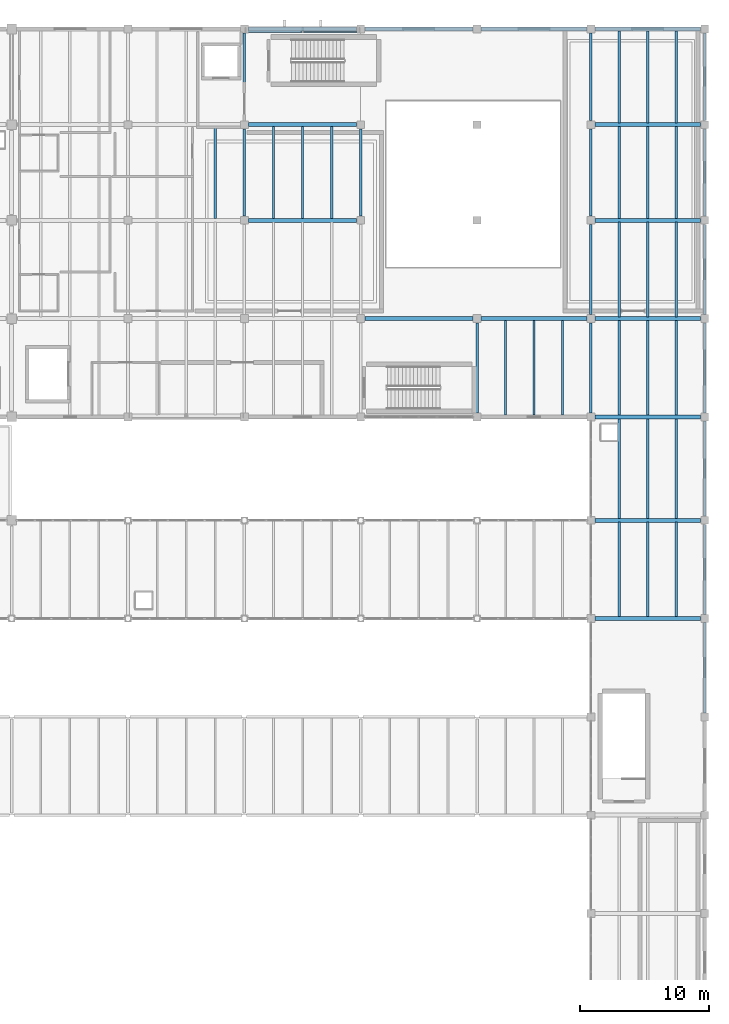
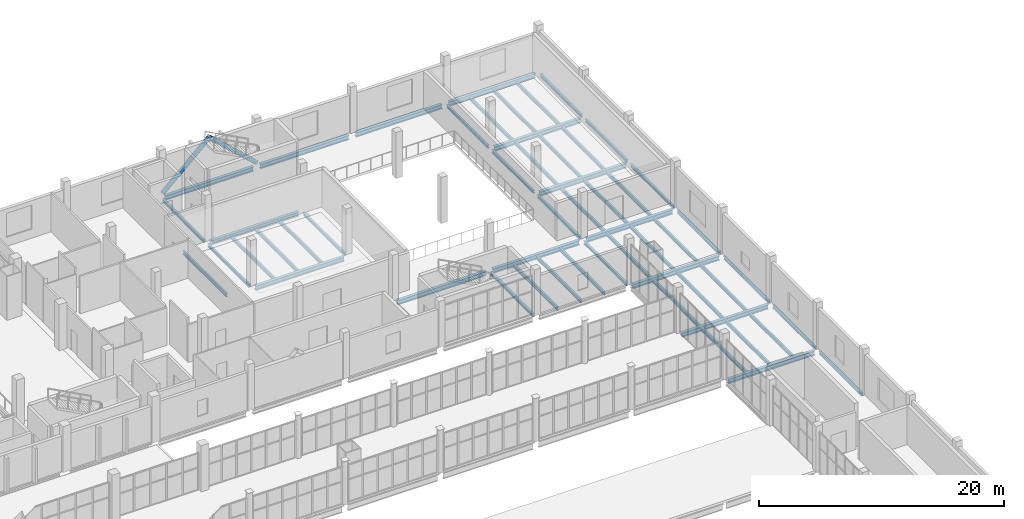
# One storey, part 93 of 136: 54 beams, 2 members.
"""IFC4 building model written with IfcOpenShell, lengths in metres."""

from ifc_helpers import new_model, si_unit, direction, frame, origin, origin_2d, place, context, subcontext, project, spatial, hollow_circle, i_section, extrude, material, material_profile, profile_set, type_object, element, save


model = new_model("IFC4")

# Units and contexts
model_context = context("Model", 3, precision=1e-05, world=origin(), true_north=direction((0.0, 1.0)))
body_context = subcontext(model_context, "Body", "Model", "MODEL_VIEW")
ifc_project = project(units=[si_unit("LENGTHUNIT", "METRE"), si_unit("AREAUNIT", "SQUARE_METRE"), si_unit("VOLUMEUNIT", "CUBIC_METRE"), si_unit("PLANEANGLEUNIT", "RADIAN"), si_unit("MASSUNIT", "GRAM", prefix="KILO")], contexts=[model_context])

# Site, building, storey
site_placement = place(None, origin())
site = spatial("IfcSite", under=ifc_project, at=site_placement, CompositionType="ELEMENT")
building_placement = place(site_placement, origin())
building = spatial("IfcBuilding", under=site, at=building_placement, Name="Shengluoqiao Park Theatre", CompositionType="ELEMENT")
storey_placement = place(building_placement, frame((0.0, 0.0, 10.0)))
storey = spatial("IfcBuildingStorey", under=building, at=storey_placement, Name="L02", CompositionType="ELEMENT", Elevation=10.0)

# Beams
ifc_material_1 = material(Name="Steel Q355", Category="steel")
ifc_material_profile_1 = material_profile(ifc_material_1, i_section(OverallWidth=0.199951171875, OverallDepth=0.2939453125, WebThickness=0.008056640625, FlangeThickness=0.011962890625, FilletRadius=0.01611328125, at=origin_2d()), Name="HM 294x200x8x12")
ifc_profile_set_1 = profile_set([ifc_material_profile_1], Name="Steel Q355")
beam_type_1 = type_object("IfcBeamType", Name="STR-BM-G-HM294", PredefinedType="BEAM", material=ifc_profile_set_1)
for number, where, z_axis, x_axis, name in (
    (1, (130.39990234375, 99.51904296875, -0.386962890625), (0.0, 1.0, 0.0), (-1.0, 0.0, 0.0), "L02 Transverse Girder 01074"),
    (2, (130.39990234375, 106.9189453125, -0.386962890625), (0.0, 1.0, 0.0), (-1.0, 0.0, 0.0), "L02 Transverse Girder 01075"),
    (3, (139.39990234375, 99.51904296875, -0.386962890625), (0.0, 1.0, 0.0), (-1.0, 0.0, 0.0), "L02 Transverse Girder 01078"),
):
    element("IfcBeam", number, at=place(storey_placement, frame(where, z_axis=z_axis, x_axis=x_axis)), inside=storey, type_object=beam_type_1, Name=name, PredefinedType="BEAM", context=body_context, shape_type="SweptSolid", body=[
        extrude(i_section(OverallWidth=0.199951171875, OverallDepth=0.2939453125, WebThickness=0.008056640625, FlangeThickness=0.011962890625, FilletRadius=0.01611328125, at=origin_2d()), origin(), (0.0, 0.0, 1.0), 6.761962890625),
    ])
for number, where, z_axis, x_axis, name in (
    (4, (148.39990234375, 84.319091796875, -0.386962890625), (0.0, 1.0, 0.0), (-1.0, 0.0, 0.0), "L02 Transverse Girder 01121"),
    (5, (157.199951171875, 84.319091796875, -0.386962890625), (0.0, 1.0, 0.0), (-1.0, 0.0, 0.0), "L02 Transverse Girder 01122"),
):
    element("IfcBeam", number, at=place(storey_placement, frame(where, z_axis=z_axis, x_axis=x_axis)), inside=storey, type_object=beam_type_1, Name=name, PredefinedType="BEAM", context=body_context, shape_type="SweptSolid", body=[
        extrude(i_section(OverallWidth=0.199951171875, OverallDepth=0.2939453125, WebThickness=0.008056640625, FlangeThickness=0.011962890625, FilletRadius=0.01611328125, at=origin_2d()), origin(), (0.0, 0.0, 1.0), 6.9619140625),
    ])
beam_1_placement = place(storey_placement, frame((157.199951171875, 91.9189453125, -0.386962890625), z_axis=(0.0, 1.0, 0.0), x_axis=(-1.0, 0.0, 0.0)))
element("IfcBeam", 6, at=beam_1_placement, inside=storey, type_object=beam_type_1, Name="L02 Transverse Girder 01123", PredefinedType="BEAM", context=body_context, shape_type="SweptSolid", body=[
    extrude(i_section(OverallWidth=0.199951171875, OverallDepth=0.2939453125, WebThickness=0.008056640625, FlangeThickness=0.011962890625, FilletRadius=0.01611328125, at=origin_2d()), origin(), (0.0, 0.0, 1.0), 6.962158203125),
])
for number, where, z_axis, x_axis, name in (
    (7, (157.199951171875, 99.51904296875, -0.386962890625), (0.0, 1.0, 0.0), (-1.0, 0.0, 0.0), "L02 Transverse Girder 01124"),
    (8, (157.199951171875, 106.9189453125, -0.386962890625), (0.0, 1.0, 0.0), (-1.0, 0.0, 0.0), "L02 Transverse Girder 01125"),
):
    element("IfcBeam", number, at=place(storey_placement, frame(where, z_axis=z_axis, x_axis=x_axis)), inside=storey, type_object=beam_type_1, Name=name, PredefinedType="BEAM", context=body_context, shape_type="SweptSolid", body=[
        extrude(i_section(OverallWidth=0.199951171875, OverallDepth=0.2939453125, WebThickness=0.008056640625, FlangeThickness=0.011962890625, FilletRadius=0.01611328125, at=origin_2d()), origin(), (0.0, 0.0, 1.0), 6.761962890625),
    ])
beam_2_placement = place(storey_placement, frame((166.0, 84.319091796875, -0.386962890625), z_axis=(0.0, 1.0, 0.0), x_axis=(-1.0, 0.0, 0.0)))
element("IfcBeam", 9, at=beam_2_placement, inside=storey, type_object=beam_type_1, Name="L02 Transverse Girder 01126", PredefinedType="BEAM", context=body_context, shape_type="SweptSolid", body=[
    extrude(i_section(OverallWidth=0.199951171875, OverallDepth=0.2939453125, WebThickness=0.008056640625, FlangeThickness=0.011962890625, FilletRadius=0.01611328125, at=origin_2d()), origin(), (0.0, 0.0, 1.0), 6.9619140625),
])
beam_3_placement = place(storey_placement, frame((166.0, 91.9189453125, -0.386962890625), z_axis=(0.0, 1.0, 0.0), x_axis=(-1.0, 0.0, 0.0)))
element("IfcBeam", 10, at=beam_3_placement, inside=storey, type_object=beam_type_1, Name="L02 Transverse Girder 01127", PredefinedType="BEAM", context=body_context, shape_type="SweptSolid", body=[
    extrude(i_section(OverallWidth=0.199951171875, OverallDepth=0.2939453125, WebThickness=0.008056640625, FlangeThickness=0.011962890625, FilletRadius=0.01611328125, at=origin_2d()), origin(), (0.0, 0.0, 1.0), 6.962158203125),
])
for number, where, z_axis, x_axis, name in (
    (11, (166.0, 99.51904296875, -0.386962890625), (0.0, 1.0, 0.0), (-1.0, 0.0, 0.0), "L02 Transverse Girder 01128"),
    (12, (166.0, 106.9189453125, -0.386962890625), (0.0, 1.0, 0.0), (-1.0, 0.0, 0.0), "L02 Transverse Girder 01129"),
):
    element("IfcBeam", number, at=place(storey_placement, frame(where, z_axis=z_axis, x_axis=x_axis)), inside=storey, type_object=beam_type_1, Name=name, PredefinedType="BEAM", context=body_context, shape_type="SweptSolid", body=[
        extrude(i_section(OverallWidth=0.199951171875, OverallDepth=0.2939453125, WebThickness=0.008056640625, FlangeThickness=0.011962890625, FilletRadius=0.01611328125, at=origin_2d()), origin(), (0.0, 0.0, 1.0), 6.761962890625),
    ])
beam_4_placement = place(storey_placement, frame((166.0, 61.118896484375, -0.386962890625), z_axis=(0.0, 1.0, 0.0), x_axis=(-1.0, 0.0, 0.0)))
element("IfcBeam", 13, at=beam_4_placement, inside=storey, type_object=beam_type_1, Name="L02 Transverse Girder 01164", PredefinedType="BEAM", context=body_context, shape_type="SweptSolid", body=[
    extrude(i_section(OverallWidth=0.199951171875, OverallDepth=0.2939453125, WebThickness=0.008056640625, FlangeThickness=0.011962890625, FilletRadius=0.01611328125, at=origin_2d()), origin(), (0.0, 0.0, 1.0), 6.962158203125),
])
beam_5_placement = place(storey_placement, frame((166.0, 68.718994140625, -0.386962890625), z_axis=(0.0, 1.0, 0.0), x_axis=(-1.0, 0.0, 0.0)))
element("IfcBeam", 14, at=beam_5_placement, inside=storey, type_object=beam_type_1, Name="L02 Transverse Girder 01165", PredefinedType="BEAM", context=body_context, shape_type="SweptSolid", body=[
    extrude(i_section(OverallWidth=0.199951171875, OverallDepth=0.2939453125, WebThickness=0.008056640625, FlangeThickness=0.011962890625, FilletRadius=0.01611328125, at=origin_2d()), origin(), (0.0, 0.0, 1.0), 6.9619140625),
])
beam_6_placement = place(storey_placement, frame((166.0, 76.319091796875, -0.386962890625), z_axis=(0.0, 1.0, 0.0), x_axis=(-1.0, 0.0, 0.0)))
element("IfcBeam", 15, at=beam_6_placement, inside=storey, type_object=beam_type_1, Name="L02 Transverse Girder 01166", PredefinedType="BEAM", context=body_context, shape_type="SweptSolid", body=[
    extrude(i_section(OverallWidth=0.199951171875, OverallDepth=0.2939453125, WebThickness=0.008056640625, FlangeThickness=0.011962890625, FilletRadius=0.01611328125, at=origin_2d()), origin(), (0.0, 0.0, 1.0), 7.36181640625),
])
ifc_material_profile_2 = material_profile(ifc_material_1, i_section(OverallWidth=0.300048828125, OverallDepth=0.43994140625, WebThickness=0.010986328125, FlangeThickness=0.01806640625, FilletRadius=0.02001953125, at=origin_2d()), Name="HM 440x300x11x18")
ifc_profile_set_2 = profile_set([ifc_material_profile_2], Name="Steel Q355")
beam_type_2 = type_object("IfcBeamType", Name="STR-BM-G-HM440", PredefinedType="BEAM", material=ifc_profile_set_2)
for number, where, z_axis, x_axis, name in (
    (16, (130.718994140625, 99.199951171875, -0.4599609375), (1.0, 0.0, 0.0), (0.0, 1.0, 0.0), "L02 Primary Girder 01061"),
    (17, (130.718994140625, 106.60009765625, -0.4599609375), (1.0, 0.0, 0.0), (0.0, 1.0, 0.0), "L02 Primary Girder 01064"),
    (18, (130.718994140625, 114.0, -0.4599609375), (1.0, 0.0, 0.0), (0.0, 1.0, 0.0), "L02 Primary Girder 01067"),
):
    element("IfcBeam", number, at=place(storey_placement, frame(where, z_axis=z_axis, x_axis=x_axis)), inside=storey, type_object=beam_type_2, Name=name, PredefinedType="BEAM", context=body_context, shape_type="SweptSolid", body=[
        extrude(i_section(OverallWidth=0.300048828125, OverallDepth=0.43994140625, WebThickness=0.010986328125, FlangeThickness=0.01806640625, FilletRadius=0.02001953125, at=origin_2d()), origin(), (0.0, 0.0, 1.0), 8.362060546875),
    ])
beam_7_placement = place(storey_placement, frame((157.51904296875, 84.0, -0.4599609375), z_axis=(1.0, 0.0, 0.0), x_axis=(0.0, 1.0, 0.0)))
element("IfcBeam", 19, at=beam_7_placement, inside=storey, type_object=beam_type_2, Name="L02 Primary Girder 01112", PredefinedType="BEAM", context=body_context, shape_type="SweptSolid", body=[
    extrude(i_section(OverallWidth=0.300048828125, OverallDepth=0.43994140625, WebThickness=0.010986328125, FlangeThickness=0.01806640625, FilletRadius=0.02001953125, at=origin_2d()), origin(), (0.0, 0.0, 1.0), 8.161865234375),
])
beam_8_placement = place(storey_placement, frame((139.718994140625, 91.60009765625, -0.4599609375), z_axis=(1.0, 0.0, 0.0), x_axis=(0.0, 1.0, 0.0)))
element("IfcBeam", 20, at=beam_8_placement, inside=storey, type_object=beam_type_2, Name="L02 Primary Girder 01113", PredefinedType="BEAM", context=body_context, shape_type="SweptSolid", body=[
    extrude(i_section(OverallWidth=0.300048828125, OverallDepth=0.43994140625, WebThickness=0.010986328125, FlangeThickness=0.01806640625, FilletRadius=0.02001953125, at=origin_2d()), origin(), (0.0, 0.0, 1.0), 8.362060546875),
])
beam_9_placement = place(storey_placement, frame((148.718994140625, 91.60009765625, -0.4599609375), z_axis=(1.0, 0.0, 0.0), x_axis=(0.0, 1.0, 0.0)))
element("IfcBeam", 21, at=beam_9_placement, inside=storey, type_object=beam_type_2, Name="L02 Primary Girder 01114", PredefinedType="BEAM", context=body_context, shape_type="SweptSolid", body=[
    extrude(i_section(OverallWidth=0.300048828125, OverallDepth=0.43994140625, WebThickness=0.010986328125, FlangeThickness=0.01806640625, FilletRadius=0.02001953125, at=origin_2d()), origin(), (0.0, 0.0, 1.0), 8.162109375),
])
for number, where, z_axis, x_axis, name in (
    (22, (157.51904296875, 91.60009765625, -0.4599609375), (1.0, 0.0, 0.0), (0.0, 1.0, 0.0), "L02 Primary Girder 01115"),
    (23, (157.51904296875, 99.199951171875, -0.4599609375), (1.0, 0.0, 0.0), (0.0, 1.0, 0.0), "L02 Primary Girder 01116"),
    (24, (157.51904296875, 106.60009765625, -0.4599609375), (1.0, 0.0, 0.0), (0.0, 1.0, 0.0), "L02 Primary Girder 01117"),
):
    element("IfcBeam", number, at=place(storey_placement, frame(where, z_axis=z_axis, x_axis=x_axis)), inside=storey, type_object=beam_type_2, Name=name, PredefinedType="BEAM", context=body_context, shape_type="SweptSolid", body=[
        extrude(i_section(OverallWidth=0.300048828125, OverallDepth=0.43994140625, WebThickness=0.010986328125, FlangeThickness=0.01806640625, FilletRadius=0.02001953125, at=origin_2d()), origin(), (0.0, 0.0, 1.0), 8.161865234375),
    ])
beam_10_placement = place(storey_placement, frame((139.718994140625, 114.0, -0.4599609375), z_axis=(1.0, 0.0, 0.0), x_axis=(0.0, 1.0, 0.0)))
element("IfcBeam", 25, at=beam_10_placement, inside=storey, type_object=beam_type_2, Name="L02 Primary Girder 01118", PredefinedType="BEAM", context=body_context, shape_type="SweptSolid", body=[
    extrude(i_section(OverallWidth=0.300048828125, OverallDepth=0.43994140625, WebThickness=0.010986328125, FlangeThickness=0.01806640625, FilletRadius=0.02001953125, at=origin_2d()), origin(), (0.0, 0.0, 1.0), 8.362060546875),
])
beam_11_placement = place(storey_placement, frame((148.718994140625, 114.0, -0.4599609375), z_axis=(1.0, 0.0, 0.0), x_axis=(0.0, 1.0, 0.0)))
element("IfcBeam", 26, at=beam_11_placement, inside=storey, type_object=beam_type_2, Name="L02 Primary Girder 01119", PredefinedType="BEAM", context=body_context, shape_type="SweptSolid", body=[
    extrude(i_section(OverallWidth=0.300048828125, OverallDepth=0.43994140625, WebThickness=0.010986328125, FlangeThickness=0.01806640625, FilletRadius=0.02001953125, at=origin_2d()), origin(), (0.0, 0.0, 1.0), 8.162109375),
])
for number, where, z_axis, x_axis, name in (
    (27, (157.51904296875, 114.0, -0.4599609375), (1.0, 0.0, 0.0), (0.0, 1.0, 0.0), "L02 Primary Girder 01120"),
    (28, (157.51904296875, 68.39990234375, -0.4599609375), (1.0, 0.0, 0.0), (0.0, 1.0, 0.0), "L02 Primary Girder 01150"),
    (29, (157.51904296875, 76.0, -0.4599609375), (1.0, 0.0, 0.0), (0.0, 1.0, 0.0), "L02 Primary Girder 01151"),
):
    element("IfcBeam", number, at=place(storey_placement, frame(where, z_axis=z_axis, x_axis=x_axis)), inside=storey, type_object=beam_type_2, Name=name, PredefinedType="BEAM", context=body_context, shape_type="SweptSolid", body=[
        extrude(i_section(OverallWidth=0.300048828125, OverallDepth=0.43994140625, WebThickness=0.010986328125, FlangeThickness=0.01806640625, FilletRadius=0.02001953125, at=origin_2d()), origin(), (0.0, 0.0, 1.0), 8.161865234375),
    ])
ifc_material_profile_3 = material_profile(ifc_material_1, i_section(OverallWidth=0.175048828125, OverallDepth=0.35009765625, WebThickness=0.007080078125, FlangeThickness=0.010986328125, FilletRadius=0.013916015625, at=origin_2d()), Name="HN 350x175x7x11")
ifc_profile_set_3 = profile_set([ifc_material_profile_3], Name="Steel Q355")
beam_type_3 = type_object("IfcBeamType", Name="STR-BM-J-HN350", PredefinedType="JOIST", material=ifc_profile_set_3)
for number, where, z_axis, x_axis, name in (
    (30, (128.14990234375, 99.344970703125, -0.4150390625), (0.0, 1.0, 0.0), (-1.0, 0.0, 0.0), "L02 Composite Joist 01098"),
    (31, (132.64990234375, 99.344970703125, -0.4150390625), (0.0, 1.0, 0.0), (-1.0, 0.0, 0.0), "L02 Composite Joist 01107"),
    (32, (134.89990234375, 99.344970703125, -0.4150390625), (0.0, 1.0, 0.0), (-1.0, 0.0, 0.0), "L02 Composite Joist 01108"),
    (33, (137.14990234375, 99.344970703125, -0.4150390625), (0.0, 1.0, 0.0), (-1.0, 0.0, 0.0), "L02 Composite Joist 01109"),
):
    element("IfcBeam", number, at=place(storey_placement, frame(where, z_axis=z_axis, x_axis=x_axis)), inside=storey, type_object=beam_type_3, Name=name, PredefinedType="JOIST", context=body_context, shape_type="SweptSolid", body=[
        extrude(i_section(OverallWidth=0.175048828125, OverallDepth=0.35009765625, WebThickness=0.007080078125, FlangeThickness=0.010986328125, FilletRadius=0.013916015625, at=origin_2d()), origin(), (0.0, 0.0, 1.0), 7.110107421875),
    ])
for number, where, z_axis, x_axis, name in (
    (34, (150.60009765625, 84.14501953125, -0.4150390625), (0.0, 1.0, 0.0), (-1.0, 0.0, 0.0), "L02 Composite Joist 01130"),
    (35, (152.800048828125, 84.14501953125, -0.4150390625), (0.0, 1.0, 0.0), (-1.0, 0.0, 0.0), "L02 Composite Joist 01131"),
    (36, (155.0, 84.14501953125, -0.4150390625), (0.0, 1.0, 0.0), (-1.0, 0.0, 0.0), "L02 Composite Joist 01132"),
    (37, (159.39990234375, 84.14501953125, -0.4150390625), (0.0, 1.0, 0.0), (-1.0, 0.0, 0.0), "L02 Composite Joist 01133"),
    (38, (161.60009765625, 84.14501953125, -0.4150390625), (0.0, 1.0, 0.0), (-1.0, 0.0, 0.0), "L02 Composite Joist 01134"),
    (39, (163.800048828125, 84.14501953125, -0.4150390625), (0.0, 1.0, 0.0), (-1.0, 0.0, 0.0), "L02 Composite Joist 01135"),
):
    element("IfcBeam", number, at=place(storey_placement, frame(where, z_axis=z_axis, x_axis=x_axis)), inside=storey, type_object=beam_type_3, Name=name, PredefinedType="JOIST", context=body_context, shape_type="SweptSolid", body=[
        extrude(i_section(OverallWidth=0.175048828125, OverallDepth=0.35009765625, WebThickness=0.007080078125, FlangeThickness=0.010986328125, FilletRadius=0.013916015625, at=origin_2d()), origin(), (0.0, 0.0, 1.0), 7.31005859375),
    ])
for number, where, z_axis, x_axis, name in (
    (40, (159.39990234375, 91.7451171875, -0.4150390625), (0.0, 1.0, 0.0), (-1.0, 0.0, 0.0), "L02 Composite Joist 01136"),
    (41, (161.60009765625, 91.7451171875, -0.4150390625), (0.0, 1.0, 0.0), (-1.0, 0.0, 0.0), "L02 Composite Joist 01137"),
    (42, (163.800048828125, 91.7451171875, -0.4150390625), (0.0, 1.0, 0.0), (-1.0, 0.0, 0.0), "L02 Composite Joist 01138"),
):
    element("IfcBeam", number, at=place(storey_placement, frame(where, z_axis=z_axis, x_axis=x_axis)), inside=storey, type_object=beam_type_3, Name=name, PredefinedType="JOIST", context=body_context, shape_type="SweptSolid", body=[
        extrude(i_section(OverallWidth=0.175048828125, OverallDepth=0.35009765625, WebThickness=0.007080078125, FlangeThickness=0.010986328125, FilletRadius=0.013916015625, at=origin_2d()), origin(), (0.0, 0.0, 1.0), 7.309814453125),
    ])
for number, where, z_axis, x_axis, name in (
    (43, (159.39990234375, 99.344970703125, -0.4150390625), (0.0, 1.0, 0.0), (-1.0, 0.0, 0.0), "L02 Composite Joist 01139"),
    (44, (161.60009765625, 99.344970703125, -0.4150390625), (0.0, 1.0, 0.0), (-1.0, 0.0, 0.0), "L02 Composite Joist 01140"),
    (45, (163.800048828125, 99.344970703125, -0.4150390625), (0.0, 1.0, 0.0), (-1.0, 0.0, 0.0), "L02 Composite Joist 01141"),
):
    element("IfcBeam", number, at=place(storey_placement, frame(where, z_axis=z_axis, x_axis=x_axis)), inside=storey, type_object=beam_type_3, Name=name, PredefinedType="JOIST", context=body_context, shape_type="SweptSolid", body=[
        extrude(i_section(OverallWidth=0.175048828125, OverallDepth=0.35009765625, WebThickness=0.007080078125, FlangeThickness=0.010986328125, FilletRadius=0.013916015625, at=origin_2d()), origin(), (0.0, 0.0, 1.0), 7.110107421875),
    ])
for number, where, z_axis, x_axis, name in (
    (46, (159.39990234375, 106.7451171875, -0.4150390625), (0.0, 1.0, 0.0), (-1.0, 0.0, 0.0), "L02 Composite Joist 01142"),
    (47, (161.60009765625, 106.7451171875, -0.4150390625), (0.0, 1.0, 0.0), (-1.0, 0.0, 0.0), "L02 Composite Joist 01143"),
    (48, (163.800048828125, 106.7451171875, -0.4150390625), (0.0, 1.0, 0.0), (-1.0, 0.0, 0.0), "L02 Composite Joist 01144"),
):
    element("IfcBeam", number, at=place(storey_placement, frame(where, z_axis=z_axis, x_axis=x_axis)), inside=storey, type_object=beam_type_3, Name=name, PredefinedType="JOIST", context=body_context, shape_type="SweptSolid", body=[
        extrude(i_section(OverallWidth=0.175048828125, OverallDepth=0.35009765625, WebThickness=0.007080078125, FlangeThickness=0.010986328125, FilletRadius=0.013916015625, at=origin_2d()), origin(), (0.0, 0.0, 1.0), 7.10986328125),
    ])
for number, where, z_axis, x_axis, name in (
    (49, (159.39990234375, 68.544921875, -0.4150390625), (0.0, 1.0, 0.0), (-1.0, 0.0, 0.0), "L02 Composite Joist 01179"),
    (50, (161.60009765625, 68.544921875, -0.4150390625), (0.0, 1.0, 0.0), (-1.0, 0.0, 0.0), "L02 Composite Joist 01180"),
    (51, (163.800048828125, 68.544921875, -0.4150390625), (0.0, 1.0, 0.0), (-1.0, 0.0, 0.0), "L02 Composite Joist 01181"),
):
    element("IfcBeam", number, at=place(storey_placement, frame(where, z_axis=z_axis, x_axis=x_axis)), inside=storey, type_object=beam_type_3, Name=name, PredefinedType="JOIST", context=body_context, shape_type="SweptSolid", body=[
        extrude(i_section(OverallWidth=0.175048828125, OverallDepth=0.35009765625, WebThickness=0.007080078125, FlangeThickness=0.010986328125, FilletRadius=0.013916015625, at=origin_2d()), origin(), (0.0, 0.0, 1.0), 7.31005859375),
    ])
for number, where, z_axis, x_axis, name in (
    (52, (159.39990234375, 76.14501953125, -0.4150390625), (0.0, 1.0, 0.0), (-1.0, 0.0, 0.0), "L02 Composite Joist 01182"),
    (53, (161.60009765625, 76.14501953125, -0.4150390625), (0.0, 1.0, 0.0), (-1.0, 0.0, 0.0), "L02 Composite Joist 01183"),
    (54, (163.800048828125, 76.14501953125, -0.4150390625), (0.0, 1.0, 0.0), (-1.0, 0.0, 0.0), "L02 Composite Joist 01184"),
):
    element("IfcBeam", number, at=place(storey_placement, frame(where, z_axis=z_axis, x_axis=x_axis)), inside=storey, type_object=beam_type_3, Name=name, PredefinedType="JOIST", context=body_context, shape_type="SweptSolid", body=[
        extrude(i_section(OverallWidth=0.175048828125, OverallDepth=0.35009765625, WebThickness=0.007080078125, FlangeThickness=0.010986328125, FilletRadius=0.013916015625, at=origin_2d()), origin(), (0.0, 0.0, 1.0), 7.7099609375),
    ])

# Members
ifc_material_2 = material(Name="Steel Q390", Category="steel")
ifc_material_profile_4 = material_profile(ifc_material_2, hollow_circle(Radius=0.202880859375, WallThickness=0.01611328125, at=origin_2d()), Name="CHS 406x16")
ifc_profile_set_4 = profile_set([ifc_material_profile_4], Name="Steel Q390")
member_type = type_object("IfcMemberType", Name="STR-MEM-BRC-406", PredefinedType="BRACE", material=ifc_profile_set_4)
for number, where, z_axis, x_axis, name in (
    (55, (130.489990234375, 113.919921875, 0.102294921875), (0.735835523568, 0.0, 0.677160307649), (0.0, 1.0, 0.0), "L02 Chevron Brace 0017"),
    (56, (139.31005859375, 113.919921875, 0.102294921875), (-0.735835523568, 0.0, 0.677160307649), (0.0, -1.0, 0.0), "L02 Chevron Brace 0018"),
):
    element("IfcMember", number, at=place(storey_placement, frame(where, z_axis=z_axis, x_axis=x_axis)), inside=storey, type_object=member_type, Name=name, PredefinedType="BRACE", context=body_context, shape_type="SweptSolid", body=[
        extrude(hollow_circle(Radius=0.202880859375, WallThickness=0.01611328125, at=origin_2d()), origin(), (0.0, 0.0, 1.0), 5.962646484375),
    ])

save(model, "model.ifc")
